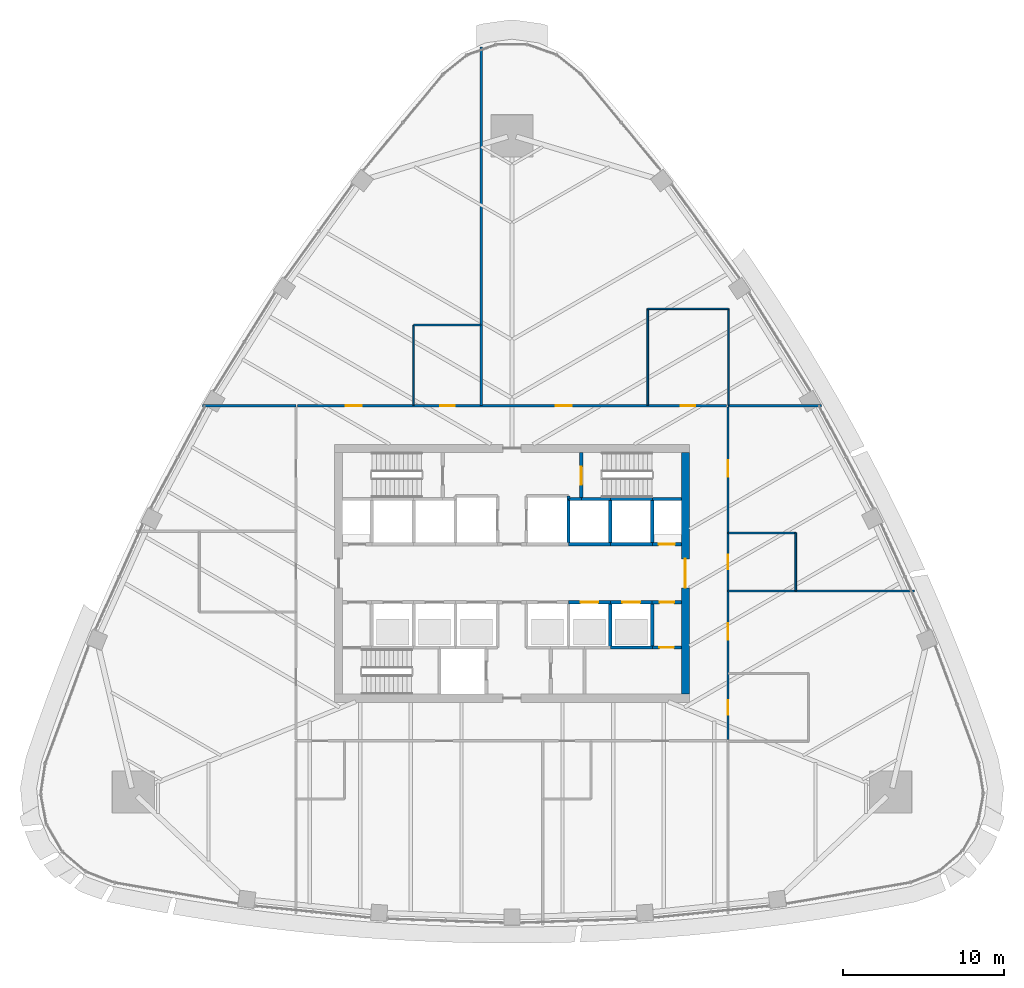
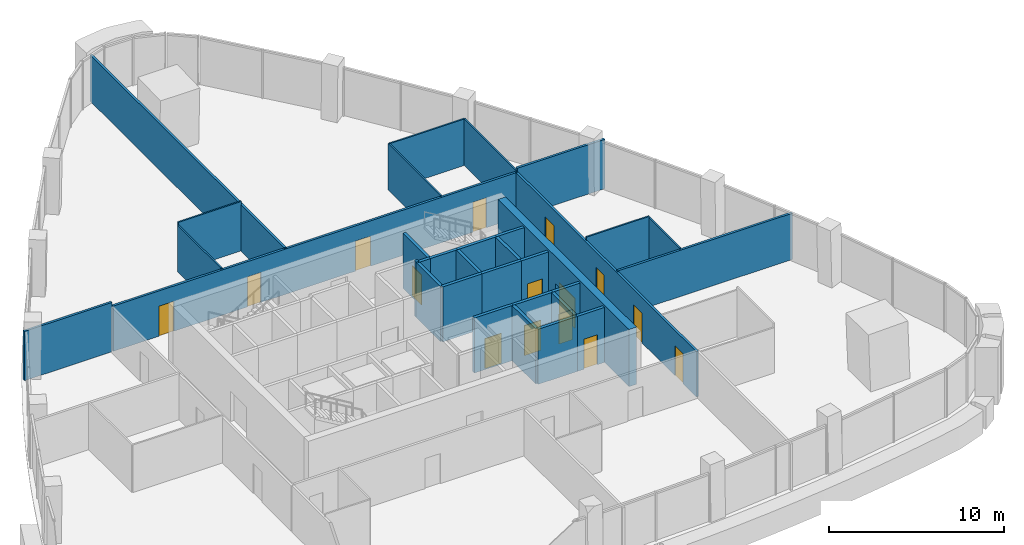
# One storey, part 11 of 16: 33 walls, 15 doors, 15 openings.
"""IFC4 building model written with IfcOpenShell, lengths in metres."""

from ifc_helpers import new_model, si_unit, direction, frame, frame_2d, origin, place, context, subcontext, project, spatial, rectangle, extrude, material, layer, layer_set, type_object, element, fill, save


model = new_model("IFC4")

# Units and contexts
model_context = context("Model", 3, precision=1e-05, world=origin(), true_north=direction((0.0, 1.0)))
body_context = subcontext(model_context, "Body", "Model", "MODEL_VIEW")
ifc_project = project(units=[si_unit("LENGTHUNIT", "METRE"), si_unit("AREAUNIT", "SQUARE_METRE"), si_unit("VOLUMEUNIT", "CUBIC_METRE"), si_unit("PLANEANGLEUNIT", "RADIAN"), si_unit("MASSUNIT", "GRAM", prefix="KILO")], contexts=[model_context])

# Site, building, storey
site_placement = place(None, origin())
site = spatial("IfcSite", under=ifc_project, at=site_placement, CompositionType="ELEMENT")
building_placement = place(site_placement, origin())
building = spatial("IfcBuilding", under=site, at=building_placement, Name="Sierra Prisma Convention Tower", CompositionType="ELEMENT")
storey_placement = place(building_placement, frame((0.0, 0.0, 181.800048828125)))
storey = spatial("IfcBuildingStorey", under=building, at=storey_placement, Name="L40", CompositionType="ELEMENT", Elevation=181.800048828125)

# Walls
ifc_material_1 = material(Name="Gypsum board partition", Category="gypsum")
ifc_layer_1 = layer(ifc_material_1, 0.10009765625)
ifc_layer_set_1 = layer_set([ifc_layer_1], Name="Bathroom partition 100")
wall_type_1 = type_object("IfcWallType", Name="Bathroom partition 100", PredefinedType="PARTITIONING", material=ifc_layer_set_1)
wall_1_placement = place(storey_placement, frame((-6.10009765625, 10.429931640625, 0.0), z_axis=(0.0, 0.0, 1.0), x_axis=(0.0, 1.0, 0.0)))
element("IfcWall", 1, at=wall_1_placement, inside=storey, type_object=wall_type_1, Name="Partition L40 bath 5", PredefinedType="PARTITIONING", context=body_context, shape_type="SweptSolid", body=[
    extrude(rectangle(XDim=4.969970703125, YDim=0.10009765625, at=frame_2d((2.48486328125, 0.0))), origin(), (0.0, 0.0, 1.0), 3.2470703125),
])
wall_2_placement = place(storey_placement, frame((-6.10009765625, 15.39990234375, 0.0), z_axis=(0.0, 0.0, 1.0), x_axis=(1.0, 0.0, 0.0)))
element("IfcWall", 2, at=wall_2_placement, inside=storey, type_object=wall_type_1, Name="Partition L40 bath 6", PredefinedType="PARTITIONING", context=body_context, shape_type="SweptSolid", body=[
    extrude(rectangle(XDim=4.170166015625, YDim=0.10009765625, at=frame_2d((2.0849609375, 0.0))), origin(), (0.0, 0.0, 1.0), 3.449951171875),
])
wall_3_placement = place(storey_placement, frame((8.419921875, 10.429931640625, 0.0), z_axis=(0.0, 0.0, 1.0), x_axis=(0.0, 1.0, 0.0)))
element("IfcWall", 3, at=wall_3_placement, inside=storey, type_object=wall_type_1, Name="Partition L40 bath 9", PredefinedType="PARTITIONING", context=body_context, shape_type="SweptSolid", body=[
    extrude(rectangle(XDim=5.969970703125, YDim=0.10009765625, at=frame_2d((2.98486328125, 0.0))), origin(), (0.0, 0.0, 1.0), 3.2470703125),
])
wall_4_placement = place(storey_placement, frame((8.419921875, 16.39990234375, 0.0), z_axis=(0.0, 0.0, 1.0), x_axis=(1.0, 0.0, 0.0)))
element("IfcWall", 4, at=wall_4_placement, inside=storey, type_object=wall_type_1, Name="Partition L40 bath 10", PredefinedType="PARTITIONING", context=body_context, shape_type="SweptSolid", body=[
    extrude(rectangle(XDim=5.0, YDim=0.10009765625, at=frame_2d((2.5, 0.0))), origin(), (0.0, 0.0, 1.0), 3.2470703125),
])
wall_5_placement = place(storey_placement, frame((13.419921875, 16.39990234375, 0.0), z_axis=(0.0, 0.0, 1.0), x_axis=(0.0, -1.0, 0.0)))
element("IfcWall", 5, at=wall_5_placement, inside=storey, type_object=wall_type_1, Name="Partition L40 bath 11", PredefinedType="PARTITIONING", context=body_context, shape_type="SweptSolid", body=[
    extrude(rectangle(XDim=5.969970703125, YDim=0.10009765625, at=frame_2d((2.98486328125, 0.0))), origin(), (0.0, 0.0, 1.0), 3.2470703125),
])
wall_6_placement = place(storey_placement, frame((13.429931640625, 2.5, 0.0), z_axis=(0.0, 0.0, 1.0), x_axis=(1.0, 0.0, 0.0)))
element("IfcWall", 6, at=wall_6_placement, inside=storey, type_object=wall_type_1, Name="Partition L40 bath 15", PredefinedType="PARTITIONING", context=body_context, shape_type="SweptSolid", body=[
    extrude(rectangle(XDim=4.170166015625, YDim=0.10009765625, at=frame_2d((2.0849609375, 0.0))), origin(), (0.0, 0.0, 1.0), 3.39306640625),
])
wall_7_placement = place(storey_placement, frame((17.60009765625, 2.5, 0.0), z_axis=(0.0, 0.0, 1.0), x_axis=(0.0, -1.0, 0.0)))
element("IfcWall", 7, at=wall_7_placement, inside=storey, type_object=wall_type_1, Name="Partition L40 bath 16", PredefinedType="PARTITIONING", context=body_context, shape_type="SweptSolid", body=[
    extrude(rectangle(XDim=3.570068359375, YDim=0.10009765625, at=frame_2d((1.78515625, 0.0))), origin(), (0.0, 0.0, 1.0), 3.31689453125),
])
ifc_material_2 = material(Name="Concrete C30/37", Category="concrete")
ifc_layer_2 = layer(ifc_material_2, 0.199951171875)
ifc_layer_set_2 = layer_set([ifc_layer_2], Name="Core wall RC 200 C30/37")
wall_type_2 = type_object("IfcWallType", Name="Core wall RC 200 C30/37", PredefinedType="SOLIDWALL", material=ifc_layer_set_2)
wall_8_placement = place(storey_placement, frame((3.5, 4.60009765625, 0.0), z_axis=(0.0, 0.0, 1.0), x_axis=(0.0, 1.0, 0.0)))
element("IfcWall", 8, at=wall_8_placement, inside=storey, type_object=wall_type_2, Name="Core wall L40 38", PredefinedType="SOLIDWALL", context=body_context, shape_type="SweptSolid", body=[
    extrude(rectangle(XDim=0.199951171875, YDim=0.199951171875, at=frame_2d((0.10009765625, 0.0))), origin(), (0.0, 0.0, 1.0), 3.849853515625),
])

# Wall, opening, door
wall_9_placement = place(storey_placement, frame((3.5, -1.800048828125, 0.0), z_axis=(0.0, 0.0, 1.0), x_axis=(1.0, 0.0, 0.0)))
wall_9 = element("IfcWall", 9, at=wall_9_placement, inside=storey, type_object=wall_type_2, Name="Core wall L40 45", PredefinedType="SOLIDWALL", context=body_context, shape_type="SweptSolid", body=[
    extrude(rectangle(XDim=2.60009765625, YDim=0.199951171875, at=frame_2d((1.300048828125, 0.0))), origin(), (0.0, 0.0, 1.0), 3.849853515625),
])
opening_1_placement = place(wall_9_placement, frame((0.75, 0.0, 0.0)))
opening_1 = element("IfcOpeningElement", 10, at=opening_1_placement, cuts=wall_9, Name="Opening L40-D005", PredefinedType="OPENING", context=body_context, shape_type="SweptSolid", body=[
    extrude(rectangle(XDim=1.10009765625, YDim=2.10009765625, at=frame_2d((0.550048828125, 1.050048828125))), frame((0.0, 0.10009765625, 0.0), z_axis=(0.0, -1.0, 0.0), x_axis=(1.0, 0.0, 0.0)), (0.0, 0.0, 1.0), 0.199951171875),
])
ifc_material_3 = material(Name="Steel fire door leaf", Category="steel")
door_type_1 = type_object("IfcDoorType", Name="Door 1100x2100 EI 90 sliding lift landing", OperationType="SLIDING_TO_LEFT", PredefinedType="DOOR", material=ifc_material_3)
door_1_placement = place(opening_1_placement, origin())
door_1 = element("IfcDoor", 11, at=door_1_placement, inside=storey, type_object=door_type_1, Name="Door L40 20", OperationType="SLIDING_TO_LEFT", OverallHeight=2.10009765625, OverallWidth=1.10009765625, PredefinedType="DOOR", context=body_context, shape_type="SweptSolid", body=[
    extrude(rectangle(XDim=1.10009765625, YDim=2.10009765625, at=frame_2d((0.550048828125, 1.050048828125))), frame((0.0, 0.02490234375, 0.0), z_axis=(0.0, -1.0, 0.0), x_axis=(1.0, 0.0, 0.0)), (0.0, 0.0, 1.0), 0.050048828125),
])
fill(opening_1, door_1)

# Walls
wall_10_placement = place(storey_placement, frame((6.10009765625, 1.800048828125, 0.0), z_axis=(0.0, 0.0, 1.0), x_axis=(-1.0, 0.0, 0.0)))
element("IfcWall", 12, at=wall_10_placement, inside=storey, type_object=wall_type_2, Name="Core wall L40 46", PredefinedType="SOLIDWALL", context=body_context, shape_type="SweptSolid", body=[
    extrude(rectangle(XDim=2.60009765625, YDim=0.199951171875, at=frame_2d((1.300048828125, 0.0))), origin(), (0.0, 0.0, 1.0), 3.849853515625),
])
wall_11_placement = place(storey_placement, frame((3.5, 1.800048828125, 0.0), z_axis=(0.0, 0.0, 1.0), x_axis=(0.0, 1.0, 0.0)))
element("IfcWall", 13, at=wall_11_placement, inside=storey, type_object=wall_type_2, Name="Core wall L40 47", PredefinedType="SOLIDWALL", context=body_context, shape_type="SweptSolid", body=[
    extrude(rectangle(XDim=2.800048828125, YDim=0.199951171875, at=frame_2d((1.39990234375, 0.0))), origin(), (0.0, 0.0, 1.0), 3.849853515625),
])
wall_12_placement = place(storey_placement, frame((4.300048828125, 4.60009765625, 0.0), z_axis=(0.0, 0.0, 1.0), x_axis=(-1.0, 0.0, 0.0)))
element("IfcWall", 14, at=wall_12_placement, inside=storey, type_object=wall_type_2, Name="Core wall L40 48", PredefinedType="SOLIDWALL", context=body_context, shape_type="SweptSolid", body=[
    extrude(rectangle(XDim=0.800048828125, YDim=0.199951171875, at=frame_2d((0.39990234375, 0.0))), origin(), (0.0, 0.0, 1.0), 3.849853515625),
])
wall_13_placement = place(storey_placement, frame((6.10009765625, 4.60009765625, 0.0), z_axis=(0.0, 0.0, 1.0), x_axis=(-1.0, 0.0, 0.0)))
element("IfcWall", 15, at=wall_13_placement, inside=storey, type_object=wall_type_2, Name="Core wall L40 49", PredefinedType="SOLIDWALL", context=body_context, shape_type="SweptSolid", body=[
    extrude(rectangle(XDim=1.800048828125, YDim=0.199951171875, at=frame_2d((0.89990234375, 0.0))), origin(), (0.0, 0.0, 1.0), 3.849853515625),
])

# Wall, opening, door
wall_14_placement = place(storey_placement, frame((4.300048828125, 7.5, 0.0), z_axis=(0.0, 0.0, 1.0), x_axis=(0.0, -1.0, 0.0)))
wall_14 = element("IfcWall", 16, at=wall_14_placement, inside=storey, type_object=wall_type_2, Name="Core wall L40 50", PredefinedType="SOLIDWALL", context=body_context, shape_type="SweptSolid", body=[
    extrude(rectangle(XDim=2.89990234375, YDim=0.199951171875, at=frame_2d((1.449951171875, 0.0))), origin(), (0.0, 0.0, 1.0), 3.849853515625),
])
opening_2_placement = place(wall_14_placement, frame((0.89990234375, 0.0, 0.0)))
opening_2 = element("IfcOpeningElement", 17, at=opening_2_placement, cuts=wall_14, Name="Opening L40-D017", PredefinedType="OPENING", context=body_context, shape_type="SweptSolid", body=[
    extrude(rectangle(XDim=1.10009765625, YDim=2.10009765625, at=frame_2d((0.550048828125, 1.050048828125))), frame((0.0, 0.10009765625, 0.0), z_axis=(0.0, -1.0, 0.0), x_axis=(1.0, 0.0, 0.0)), (0.0, 0.0, 1.0), 0.199951171875),
])
ifc_material_4 = material(Name="Steel fire door leaf", Category="steel")
door_type_2 = type_object("IfcDoorType", Name="Door 1100x2100 FD90S", OperationType="SINGLE_SWING_LEFT", PredefinedType="DOOR", material=ifc_material_4)
door_2_placement = place(opening_2_placement, origin())
door_2 = element("IfcDoor", 18, at=door_2_placement, inside=storey, type_object=door_type_2, Name="Door L40 32", OperationType="SINGLE_SWING_LEFT", OverallHeight=2.10009765625, OverallWidth=1.10009765625, PredefinedType="DOOR", context=body_context, shape_type="SweptSolid", body=[
    extrude(rectangle(XDim=1.10009765625, YDim=2.10009765625, at=frame_2d((0.550048828125, 1.050048828125))), frame((0.0, 0.02490234375, 0.0), z_axis=(0.0, -1.0, 0.0), x_axis=(1.0, 0.0, 0.0)), (0.0, 0.0, 1.0), 0.050048828125),
])
fill(opening_2, door_2)

# Walls
wall_15_placement = place(storey_placement, frame((8.699951171875, -4.60009765625, 0.0), z_axis=(0.0, 0.0, 1.0), x_axis=(-1.0, 0.0, 0.0)))
element("IfcWall", 19, at=wall_15_placement, inside=storey, type_object=wall_type_2, Name="Core wall L40 53", PredefinedType="SOLIDWALL", context=body_context, shape_type="SweptSolid", body=[
    extrude(rectangle(XDim=2.599853515625, YDim=0.199951171875, at=frame_2d((1.2998046875, 0.0))), origin(), (0.0, 0.0, 1.0), 3.849853515625),
])
wall_16_placement = place(storey_placement, frame((6.10009765625, -4.60009765625, 0.0), z_axis=(0.0, 0.0, 1.0), x_axis=(0.0, 1.0, 0.0)))
element("IfcWall", 20, at=wall_16_placement, inside=storey, type_object=wall_type_2, Name="Core wall L40 54", PredefinedType="SOLIDWALL", context=body_context, shape_type="SweptSolid", body=[
    extrude(rectangle(XDim=2.800048828125, YDim=0.199951171875, at=frame_2d((1.39990234375, 0.0))), origin(), (0.0, 0.0, 1.0), 3.849853515625),
])

# Wall, opening, door
wall_17_placement = place(storey_placement, frame((6.10009765625, -1.800048828125, 0.0), z_axis=(0.0, 0.0, 1.0), x_axis=(1.0, 0.0, 0.0)))
wall_17 = element("IfcWall", 21, at=wall_17_placement, inside=storey, type_object=wall_type_2, Name="Core wall L40 55", PredefinedType="SOLIDWALL", context=body_context, shape_type="SweptSolid", body=[
    extrude(rectangle(XDim=2.599853515625, YDim=0.199951171875, at=frame_2d((1.2998046875, 0.0))), origin(), (0.0, 0.0, 1.0), 3.849853515625),
])
opening_3_placement = place(wall_17_placement, frame((0.75, 0.0, 0.0)))
opening_3 = element("IfcOpeningElement", 22, at=opening_3_placement, cuts=wall_17, Name="Opening L40-D006", PredefinedType="OPENING", context=body_context, shape_type="SweptSolid", body=[
    extrude(rectangle(XDim=1.10009765625, YDim=2.10009765625, at=frame_2d((0.550048828125, 1.050048828125))), frame((0.0, 0.10009765625, 0.0), z_axis=(0.0, -1.0, 0.0), x_axis=(1.0, 0.0, 0.0)), (0.0, 0.0, 1.0), 0.199951171875),
])
door_3_placement = place(opening_3_placement, origin())
door_3 = element("IfcDoor", 23, at=door_3_placement, inside=storey, type_object=door_type_1, Name="Door L40 21", OperationType="SLIDING_TO_LEFT", OverallHeight=2.10009765625, OverallWidth=1.10009765625, PredefinedType="DOOR", context=body_context, shape_type="SweptSolid", body=[
    extrude(rectangle(XDim=1.10009765625, YDim=2.10009765625, at=frame_2d((0.550048828125, 1.050048828125))), frame((0.0, 0.02490234375, 0.0), z_axis=(0.0, -1.0, 0.0), x_axis=(1.0, 0.0, 0.0)), (0.0, 0.0, 1.0), 0.050048828125),
])
fill(opening_3, door_3)

# Walls
wall_18_placement = place(storey_placement, frame((8.699951171875, 1.800048828125, 0.0), z_axis=(0.0, 0.0, 1.0), x_axis=(-1.0, 0.0, 0.0)))
element("IfcWall", 24, at=wall_18_placement, inside=storey, type_object=wall_type_2, Name="Core wall L40 56", PredefinedType="SOLIDWALL", context=body_context, shape_type="SweptSolid", body=[
    extrude(rectangle(XDim=2.599853515625, YDim=0.199951171875, at=frame_2d((1.2998046875, 0.0))), origin(), (0.0, 0.0, 1.0), 3.849853515625),
])
wall_19_placement = place(storey_placement, frame((6.10009765625, 1.800048828125, 0.0), z_axis=(0.0, 0.0, 1.0), x_axis=(0.0, 1.0, 0.0)))
element("IfcWall", 25, at=wall_19_placement, inside=storey, type_object=wall_type_2, Name="Core wall L40 57", PredefinedType="SOLIDWALL", context=body_context, shape_type="SweptSolid", body=[
    extrude(rectangle(XDim=2.800048828125, YDim=0.199951171875, at=frame_2d((1.39990234375, 0.0))), origin(), (0.0, 0.0, 1.0), 3.849853515625),
])
wall_20_placement = place(storey_placement, frame((8.699951171875, 4.60009765625, 0.0), z_axis=(0.0, 0.0, 1.0), x_axis=(-1.0, 0.0, 0.0)))
element("IfcWall", 26, at=wall_20_placement, inside=storey, type_object=wall_type_2, Name="Core wall L40 58", PredefinedType="SOLIDWALL", context=body_context, shape_type="SweptSolid", body=[
    extrude(rectangle(XDim=2.599853515625, YDim=0.199951171875, at=frame_2d((1.2998046875, 0.0))), origin(), (0.0, 0.0, 1.0), 3.849853515625),
])

# Wall, opening, door
wall_21_placement = place(storey_placement, frame((10.5, -4.60009765625, 0.0), z_axis=(0.0, 0.0, 1.0), x_axis=(-1.0, 0.0, 0.0)))
wall_21 = element("IfcWall", 27, at=wall_21_placement, inside=storey, type_object=wall_type_2, Name="Core wall L40 59", PredefinedType="SOLIDWALL", context=body_context, shape_type="SweptSolid", body=[
    extrude(rectangle(XDim=1.800048828125, YDim=0.199951171875, at=frame_2d((0.89990234375, 0.0))), origin(), (0.0, 0.0, 1.0), 3.849853515625),
])
opening_4_placement = place(wall_21_placement, frame((0.4599609375, 0.0, 0.0)))
opening_4 = element("IfcOpeningElement", 28, at=opening_4_placement, cuts=wall_21, Name="Opening L40-D018", PredefinedType="OPENING", context=body_context, shape_type="SweptSolid", body=[
    extrude(rectangle(XDim=0.89990234375, YDim=2.10009765625, at=frame_2d((0.449951171875, 1.050048828125))), frame((0.0, 0.10009765625, 0.0), z_axis=(0.0, -1.0, 0.0), x_axis=(1.0, 0.0, 0.0)), (0.0, 0.0, 1.0), 0.199951171875),
])
ifc_material_5 = material(Name="Steel fire door leaf", Category="steel")
door_type_3 = type_object("IfcDoorType", Name="Door 900x2100 FD30S", OperationType="SINGLE_SWING_LEFT", PredefinedType="DOOR", material=ifc_material_5)
door_4_placement = place(opening_4_placement, origin())
door_4 = element("IfcDoor", 29, at=door_4_placement, inside=storey, type_object=door_type_3, Name="Door L40 33", OperationType="SINGLE_SWING_LEFT", OverallHeight=2.10009765625, OverallWidth=0.89990234375, PredefinedType="DOOR", context=body_context, shape_type="SweptSolid", body=[
    extrude(rectangle(XDim=0.89990234375, YDim=2.10009765625, at=frame_2d((0.449951171875, 1.050048828125))), frame((0.0, 0.02490234375, 0.0), z_axis=(0.0, -1.0, 0.0), x_axis=(1.0, 0.0, 0.0)), (0.0, 0.0, 1.0), 0.050048828125),
])
fill(opening_4, door_4)

# Wall
wall_22_placement = place(storey_placement, frame((8.699951171875, -1.800048828125, 0.0), z_axis=(0.0, 0.0, 1.0), x_axis=(0.0, -1.0, 0.0)))
element("IfcWall", 30, at=wall_22_placement, inside=storey, type_object=wall_type_2, Name="Core wall L40 60", PredefinedType="SOLIDWALL", context=body_context, shape_type="SweptSolid", body=[
    extrude(rectangle(XDim=2.800048828125, YDim=0.199951171875, at=frame_2d((1.39990234375, 0.0))), origin(), (0.0, 0.0, 1.0), 3.849853515625),
])

# Wall, opening, door
wall_23_placement = place(storey_placement, frame((8.699951171875, -1.800048828125, 0.0), z_axis=(0.0, 0.0, 1.0), x_axis=(1.0, 0.0, 0.0)))
wall_23 = element("IfcWall", 31, at=wall_23_placement, inside=storey, type_object=wall_type_2, Name="Core wall L40 61", PredefinedType="SOLIDWALL", context=body_context, shape_type="SweptSolid", body=[
    extrude(rectangle(XDim=1.800048828125, YDim=0.199951171875, at=frame_2d((0.89990234375, 0.0))), origin(), (0.0, 0.0, 1.0), 3.849853515625),
])
opening_5_placement = place(wall_23_placement, frame((0.449951171875, 0.0, 0.0)))
opening_5 = element("IfcOpeningElement", 32, at=opening_5_placement, cuts=wall_23, Name="Opening L40-D019", PredefinedType="OPENING", context=body_context, shape_type="SweptSolid", body=[
    extrude(rectangle(XDim=0.89990234375, YDim=2.10009765625, at=frame_2d((0.449951171875, 1.050048828125))), frame((0.0, 0.10009765625, 0.0), z_axis=(0.0, -1.0, 0.0), x_axis=(1.0, 0.0, 0.0)), (0.0, 0.0, 1.0), 0.199951171875),
])
door_5_placement = place(opening_5_placement, origin())
door_5 = element("IfcDoor", 33, at=door_5_placement, inside=storey, type_object=door_type_3, Name="Door L40 34", OperationType="SINGLE_SWING_LEFT", OverallHeight=2.10009765625, OverallWidth=0.89990234375, PredefinedType="DOOR", context=body_context, shape_type="SweptSolid", body=[
    extrude(rectangle(XDim=0.89990234375, YDim=2.10009765625, at=frame_2d((0.449951171875, 1.050048828125))), frame((0.0, 0.02490234375, 0.0), z_axis=(0.0, -1.0, 0.0), x_axis=(1.0, 0.0, 0.0)), (0.0, 0.0, 1.0), 0.050048828125),
])
fill(opening_5, door_5)

wall_24_placement = place(storey_placement, frame((10.5, 1.800048828125, 0.0), z_axis=(0.0, 0.0, 1.0), x_axis=(-1.0, 0.0, 0.0)))
wall_24 = element("IfcWall", 34, at=wall_24_placement, inside=storey, type_object=wall_type_2, Name="Core wall L40 62", PredefinedType="SOLIDWALL", context=body_context, shape_type="SweptSolid", body=[
    extrude(rectangle(XDim=1.800048828125, YDim=0.199951171875, at=frame_2d((0.89990234375, 0.0))), origin(), (0.0, 0.0, 1.0), 3.849853515625),
])
opening_6_placement = place(wall_24_placement, frame((0.39990234375, 0.0, 0.0)))
opening_6 = element("IfcOpeningElement", 35, at=opening_6_placement, cuts=wall_24, Name="Opening L40-D014", PredefinedType="OPENING", context=body_context, shape_type="SweptSolid", body=[
    extrude(rectangle(XDim=1.0, YDim=2.10009765625, at=frame_2d((0.5, 1.050048828125))), frame((0.0, 0.10009765625, 0.0), z_axis=(0.0, -1.0, 0.0), x_axis=(1.0, 0.0, 0.0)), (0.0, 0.0, 1.0), 0.199951171875),
])
ifc_material_6 = material(Name="Steel fire door leaf", Category="steel")
door_type_4 = type_object("IfcDoorType", Name="Door 1000x2100 FD60S", OperationType="SINGLE_SWING_LEFT", PredefinedType="DOOR", material=ifc_material_6)
door_6_placement = place(opening_6_placement, origin())
door_6 = element("IfcDoor", 36, at=door_6_placement, inside=storey, type_object=door_type_4, Name="Door L40 29", OperationType="SINGLE_SWING_LEFT", OverallHeight=2.10009765625, OverallWidth=1.0, PredefinedType="DOOR", context=body_context, shape_type="SweptSolid", body=[
    extrude(rectangle(XDim=1.0, YDim=2.10009765625, at=frame_2d((0.5, 1.050048828125))), frame((0.0, 0.02490234375, 0.0), z_axis=(0.0, -1.0, 0.0), x_axis=(1.0, 0.0, 0.0)), (0.0, 0.0, 1.0), 0.050048828125),
])
fill(opening_6, door_6)

# Walls
wall_25_placement = place(storey_placement, frame((8.699951171875, 4.60009765625, 0.0), z_axis=(0.0, 0.0, 1.0), x_axis=(0.0, -1.0, 0.0)))
element("IfcWall", 37, at=wall_25_placement, inside=storey, type_object=wall_type_2, Name="Core wall L40 63", PredefinedType="SOLIDWALL", context=body_context, shape_type="SweptSolid", body=[
    extrude(rectangle(XDim=2.800048828125, YDim=0.199951171875, at=frame_2d((1.39990234375, 0.0))), origin(), (0.0, 0.0, 1.0), 3.849853515625),
])
wall_26_placement = place(storey_placement, frame((10.5, 4.60009765625, 0.0), z_axis=(0.0, 0.0, 1.0), x_axis=(-1.0, 0.0, 0.0)))
element("IfcWall", 38, at=wall_26_placement, inside=storey, type_object=wall_type_2, Name="Core wall L40 64", PredefinedType="SOLIDWALL", context=body_context, shape_type="SweptSolid", body=[
    extrude(rectangle(XDim=1.800048828125, YDim=0.199951171875, at=frame_2d((0.89990234375, 0.0))), origin(), (0.0, 0.0, 1.0), 3.849853515625),
])

# Wall, opening, door
ifc_material_7 = material(Name="Concrete C60/75", Category="concrete")
ifc_layer_3 = layer(ifc_material_7, 0.5)
ifc_layer_set_3 = layer_set([ifc_layer_3], Name="Core wall RC 500 C60/75")
wall_type_3 = type_object("IfcWallType", Name="Core wall RC 500 C60/75", PredefinedType="SHEAR", material=ifc_layer_set_3)
wall_27_placement = place(storey_placement, frame((10.75, -7.5, 0.0), z_axis=(0.0, 0.0, 1.0), x_axis=(0.0, 1.0, 0.0)))
wall_27 = element("IfcWall", 39, at=wall_27_placement, inside=storey, type_object=wall_type_3, Name="Core wall E L40", PredefinedType="SHEAR", context=body_context, shape_type="SweptSolid", body=[
    extrude(rectangle(XDim=15.0, YDim=0.5, at=frame_2d((7.5, 0.0))), origin(), (0.0, 0.0, 1.0), 4.0),
])
opening_7_placement = place(wall_27_placement, frame((6.60009765625, 0.0, 0.0)))
opening_7 = element("IfcOpeningElement", 40, at=opening_7_placement, cuts=wall_27, Name="Opening L40-D036", PredefinedType="OPENING", context=body_context, shape_type="SweptSolid", body=[
    extrude(rectangle(XDim=1.800048828125, YDim=2.10009765625, at=frame_2d((0.89990234375, 1.050048828125))), frame((0.0, 0.25, 0.0), z_axis=(0.0, -1.0, 0.0), x_axis=(1.0, 0.0, 0.0)), (0.0, 0.0, 1.0), 0.5),
])
ifc_material_8 = material(Name="Steel fire door leaf", Category="steel")
door_type_5 = type_object("IfcDoorType", Name="Door 1800x2100 FD60S", OperationType="DOUBLE_DOOR_SINGLE_SWING", PredefinedType="DOOR", material=ifc_material_8)
door_7_placement = place(opening_7_placement, origin())
door_7 = element("IfcDoor", 41, at=door_7_placement, inside=storey, type_object=door_type_5, Name="Door L40 37", OperationType="DOUBLE_DOOR_SINGLE_SWING", OverallHeight=2.10009765625, OverallWidth=1.800048828125, PredefinedType="DOOR", context=body_context, shape_type="SweptSolid", body=[
    extrude(rectangle(XDim=1.800048828125, YDim=2.10009765625, at=frame_2d((0.89990234375, 1.050048828125))), frame((0.0, 0.02490234375, 0.0), z_axis=(0.0, -1.0, 0.0), x_axis=(1.0, 0.0, 0.0)), (0.0, 0.0, 1.0), 0.050048828125),
])
fill(opening_7, door_7)

# Wall, openings, doors
ifc_material_9 = material(Name="Gypsum board partition", Category="gypsum")
ifc_layer_4 = layer(ifc_material_9, 0.14990234375)
ifc_layer_set_4 = layer_set([ifc_layer_4], Name="Corridor wall 150 gypsum EI 60")
wall_type_4 = type_object("IfcWallType", Name="Corridor wall 150 gypsum EI 60", PredefinedType="PARTITIONING", material=ifc_layer_set_4)
wall_28_placement = place(storey_placement, frame((13.320068359375, 10.39990234375, 0.0), z_axis=(0.0, 0.0, 1.0), x_axis=(-1.0, 0.0, 0.0)))
wall_28 = element("IfcWall", 42, at=wall_28_placement, inside=storey, type_object=wall_type_4, Name="Partition L40 corr 3", PredefinedType="PARTITIONING", context=body_context, shape_type="SweptSolid", body=[
    extrude(rectangle(XDim=26.64013671875, YDim=0.14990234375, at=frame_2d((13.320068359375, 0.0))), origin(), (0.0, 0.0, 1.0), 3.166015625),
])
opening_8_placement = place(wall_28_placement, frame((1.949951171875, 0.0, 0.0)))
opening_8 = element("IfcOpeningElement", 43, at=opening_8_placement, cuts=wall_28, Name="Opening L40-D023", PredefinedType="OPENING", context=body_context, shape_type="SweptSolid", body=[
    extrude(rectangle(XDim=0.89990234375, YDim=2.10009765625, at=frame_2d((0.449951171875, 1.050048828125))), frame((0.0, 0.074951171875, 0.0), z_axis=(0.0, -1.0, 0.0), x_axis=(1.0, 0.0, 0.0)), (0.0, 0.0, 1.0), 0.14990234375),
])
opening_9_placement = place(wall_28_placement, frame((9.610107421875, 0.0, 0.0)))
opening_9 = element("IfcOpeningElement", 44, at=opening_9_placement, cuts=wall_28, Name="Opening L40-D024", PredefinedType="OPENING", context=body_context, shape_type="SweptSolid", body=[
    extrude(rectangle(XDim=1.0, YDim=2.10009765625, at=frame_2d((0.5, 1.050048828125))), frame((0.0, 0.074951171875, 0.0), z_axis=(0.0, -1.0, 0.0), x_axis=(1.0, 0.0, 0.0)), (0.0, 0.0, 1.0), 0.14990234375),
])
opening_10_placement = place(wall_28_placement, frame((16.8701171875, 0.0, 0.0)))
opening_10 = element("IfcOpeningElement", 45, at=opening_10_placement, cuts=wall_28, Name="Opening L40-D025", PredefinedType="OPENING", context=body_context, shape_type="SweptSolid", body=[
    extrude(rectangle(XDim=0.89990234375, YDim=2.10009765625, at=frame_2d((0.449951171875, 1.050048828125))), frame((0.0, 0.074951171875, 0.0), z_axis=(0.0, -1.0, 0.0), x_axis=(1.0, 0.0, 0.0)), (0.0, 0.0, 1.0), 0.14990234375),
])
opening_11_placement = place(wall_28_placement, frame((22.6298828125, 0.0, 0.0)))
opening_11 = element("IfcOpeningElement", 46, at=opening_11_placement, cuts=wall_28, Name="Opening L40-D026", PredefinedType="OPENING", context=body_context, shape_type="SweptSolid", body=[
    extrude(rectangle(XDim=1.0, YDim=2.10009765625, at=frame_2d((0.5, 1.050048828125))), frame((0.0, 0.074951171875, 0.0), z_axis=(0.0, -1.0, 0.0), x_axis=(1.0, 0.0, 0.0)), (0.0, 0.0, 1.0), 0.14990234375),
])
ifc_material_10 = material(Name="Steel fire door leaf", Category="steel")
door_type_6 = type_object("IfcDoorType", Name="Door 1000x2100 FD30S", OperationType="SINGLE_SWING_LEFT", PredefinedType="DOOR", material=ifc_material_10)
door_8_placement = place(opening_9_placement, origin())
door_8 = element("IfcDoor", 47, at=door_8_placement, inside=storey, type_object=door_type_6, Name="Door L40 4", OperationType="SINGLE_SWING_RIGHT", OverallHeight=2.10009765625, OverallWidth=1.0, PredefinedType="DOOR", context=body_context, shape_type="SweptSolid", body=[
    extrude(rectangle(XDim=1.0, YDim=2.10009765625, at=frame_2d((0.5, 1.050048828125))), frame((0.0, 0.02490234375, 0.0), z_axis=(0.0, -1.0, 0.0), x_axis=(1.0, 0.0, 0.0)), (0.0, 0.0, 1.0), 0.050048828125),
])
fill(opening_9, door_8)
door_9_placement = place(opening_11_placement, origin())
door_9 = element("IfcDoor", 48, at=door_9_placement, inside=storey, type_object=door_type_6, Name="Door L40 6", OperationType="SINGLE_SWING_RIGHT", OverallHeight=2.10009765625, OverallWidth=1.0, PredefinedType="DOOR", context=body_context, shape_type="SweptSolid", body=[
    extrude(rectangle(XDim=1.0, YDim=2.10009765625, at=frame_2d((0.5, 1.050048828125))), frame((0.0, 0.02490234375, 0.0), z_axis=(0.0, -1.0, 0.0), x_axis=(1.0, 0.0, 0.0)), (0.0, 0.0, 1.0), 0.050048828125),
])
fill(opening_11, door_9)
door_10_placement = place(opening_8_placement, origin())
door_10 = element("IfcDoor", 49, at=door_10_placement, inside=storey, type_object=door_type_3, Name="Door L40 3", OperationType="SINGLE_SWING_RIGHT", OverallHeight=2.10009765625, OverallWidth=0.89990234375, PredefinedType="DOOR", context=body_context, shape_type="SweptSolid", body=[
    extrude(rectangle(XDim=0.89990234375, YDim=2.10009765625, at=frame_2d((0.449951171875, 1.050048828125))), frame((0.0, 0.02490234375, 0.0), z_axis=(0.0, -1.0, 0.0), x_axis=(1.0, 0.0, 0.0)), (0.0, 0.0, 1.0), 0.050048828125),
])
fill(opening_8, door_10)
door_11_placement = place(opening_10_placement, origin())
door_11 = element("IfcDoor", 50, at=door_11_placement, inside=storey, type_object=door_type_3, Name="Door L40 5", OperationType="SINGLE_SWING_RIGHT", OverallHeight=2.10009765625, OverallWidth=0.89990234375, PredefinedType="DOOR", context=body_context, shape_type="SweptSolid", body=[
    extrude(rectangle(XDim=0.89990234375, YDim=2.10009765625, at=frame_2d((0.449951171875, 1.050048828125))), frame((0.0, 0.02490234375, 0.0), z_axis=(0.0, -1.0, 0.0), x_axis=(1.0, 0.0, 0.0)), (0.0, 0.0, 1.0), 0.050048828125),
])
fill(opening_10, door_11)

wall_29_placement = place(storey_placement, frame((13.39990234375, -10.320068359375, 0.0), z_axis=(0.0, 0.0, 1.0), x_axis=(0.0, 1.0, 0.0)))
wall_29 = element("IfcWall", 51, at=wall_29_placement, inside=storey, type_object=wall_type_4, Name="Partition L40 corr 4", PredefinedType="PARTITIONING", context=body_context, shape_type="SweptSolid", body=[
    extrude(rectangle(XDim=20.64013671875, YDim=0.14990234375, at=frame_2d((10.320068359375, 0.0))), origin(), (0.0, 0.0, 1.0), 3.166015625),
])
opening_12_placement = place(wall_29_placement, frame((10.570068359375, 0.0, 0.0)))
opening_12 = element("IfcOpeningElement", 52, at=opening_12_placement, cuts=wall_29, Name="Opening L40-D021", PredefinedType="OPENING", context=body_context, shape_type="SweptSolid", body=[
    extrude(rectangle(XDim=0.89990234375, YDim=2.10009765625, at=frame_2d((0.449951171875, 1.050048828125))), frame((0.0, 0.074951171875, 0.0), z_axis=(0.0, -1.0, 0.0), x_axis=(1.0, 0.0, 0.0)), (0.0, 0.0, 1.0), 0.14990234375),
])
opening_13_placement = place(wall_29_placement, frame((16.320068359375, 0.0, 0.0)))
opening_13 = element("IfcOpeningElement", 53, at=opening_13_placement, cuts=wall_29, Name="Opening L40-D022", PredefinedType="OPENING", context=body_context, shape_type="SweptSolid", body=[
    extrude(rectangle(XDim=1.0, YDim=2.10009765625, at=frame_2d((0.5, 1.050048828125))), frame((0.0, 0.074951171875, 0.0), z_axis=(0.0, -1.0, 0.0), x_axis=(1.0, 0.0, 0.0)), (0.0, 0.0, 1.0), 0.14990234375),
])
opening_14_placement = place(wall_29_placement, frame((1.550048828125, 0.0, 0.0)))
opening_14 = element("IfcOpeningElement", 54, at=opening_14_placement, cuts=wall_29, Name="Opening L40-D034", PredefinedType="OPENING", context=body_context, shape_type="SweptSolid", body=[
    extrude(rectangle(XDim=0.89990234375, YDim=2.10009765625, at=frame_2d((0.449951171875, 1.050048828125))), frame((0.0, 0.074951171875, 0.0), z_axis=(0.0, -1.0, 0.0), x_axis=(1.0, 0.0, 0.0)), (0.0, 0.0, 1.0), 0.14990234375),
])
opening_15_placement = place(wall_29_placement, frame((6.2099609375, 0.0, 0.0)))
opening_15 = element("IfcOpeningElement", 55, at=opening_15_placement, cuts=wall_29, Name="Opening L40-D035", PredefinedType="OPENING", context=body_context, shape_type="SweptSolid", body=[
    extrude(rectangle(XDim=1.0, YDim=2.10009765625, at=frame_2d((0.5, 1.050048828125))), frame((0.0, 0.074951171875, 0.0), z_axis=(0.0, -1.0, 0.0), x_axis=(1.0, 0.0, 0.0)), (0.0, 0.0, 1.0), 0.14990234375),
])
door_12_placement = place(opening_13_placement, origin())
door_12 = element("IfcDoor", 56, at=door_12_placement, inside=storey, type_object=door_type_6, Name="Door L40 2", OperationType="SINGLE_SWING_LEFT", OverallHeight=2.10009765625, OverallWidth=1.0, PredefinedType="DOOR", context=body_context, shape_type="SweptSolid", body=[
    extrude(rectangle(XDim=1.0, YDim=2.10009765625, at=frame_2d((0.5, 1.050048828125))), frame((0.0, 0.02490234375, 0.0), z_axis=(0.0, -1.0, 0.0), x_axis=(1.0, 0.0, 0.0)), (0.0, 0.0, 1.0), 0.050048828125),
])
fill(opening_13, door_12)
door_13_placement = place(opening_15_placement, origin())
door_13 = element("IfcDoor", 57, at=door_13_placement, inside=storey, type_object=door_type_6, Name="Door L40 15", OperationType="SINGLE_SWING_RIGHT", OverallHeight=2.10009765625, OverallWidth=1.0, PredefinedType="DOOR", context=body_context, shape_type="SweptSolid", body=[
    extrude(rectangle(XDim=1.0, YDim=2.10009765625, at=frame_2d((0.5, 1.050048828125))), frame((0.0, 0.02490234375, 0.0), z_axis=(0.0, -1.0, 0.0), x_axis=(1.0, 0.0, 0.0)), (0.0, 0.0, 1.0), 0.050048828125),
])
fill(opening_15, door_13)
door_14_placement = place(opening_12_placement, origin())
door_14 = element("IfcDoor", 58, at=door_14_placement, inside=storey, type_object=door_type_3, Name="Door L40 1", OperationType="SINGLE_SWING_RIGHT", OverallHeight=2.10009765625, OverallWidth=0.89990234375, PredefinedType="DOOR", context=body_context, shape_type="SweptSolid", body=[
    extrude(rectangle(XDim=0.89990234375, YDim=2.10009765625, at=frame_2d((0.449951171875, 1.050048828125))), frame((0.0, 0.02490234375, 0.0), z_axis=(0.0, -1.0, 0.0), x_axis=(1.0, 0.0, 0.0)), (0.0, 0.0, 1.0), 0.050048828125),
])
fill(opening_12, door_14)
door_15_placement = place(opening_14_placement, origin())
door_15 = element("IfcDoor", 59, at=door_15_placement, inside=storey, type_object=door_type_3, Name="Door L40 14", OperationType="SINGLE_SWING_LEFT", OverallHeight=2.10009765625, OverallWidth=0.89990234375, PredefinedType="DOOR", context=body_context, shape_type="SweptSolid", body=[
    extrude(rectangle(XDim=0.89990234375, YDim=2.10009765625, at=frame_2d((0.449951171875, 1.050048828125))), frame((0.0, 0.02490234375, 0.0), z_axis=(0.0, -1.0, 0.0), x_axis=(1.0, 0.0, 0.0)), (0.0, 0.0, 1.0), 0.050048828125),
])
fill(opening_14, door_15)

# Walls
ifc_material_11 = material(Name="Gypsum board partition", Category="gypsum")
ifc_layer_5 = layer(ifc_material_11, 0.14990234375)
ifc_layer_set_5 = layer_set([ifc_layer_5], Name="Party wall 150 gypsum")
wall_type_5 = type_object("IfcWallType", Name="Party wall 150 gypsum", PredefinedType="PARTITIONING", material=ifc_layer_set_5)
wall_30_placement = place(storey_placement, frame((-13.39990234375, 10.39990234375, 0.0), z_axis=(0.0, 0.0, 1.0), x_axis=(-1.0, 0.0, 0.0)))
element("IfcWall", 60, at=wall_30_placement, inside=storey, type_object=wall_type_5, Name="Partition L40 party 2", PredefinedType="PARTITIONING", context=body_context, shape_type="SweptSolid", body=[
    extrude(rectangle(XDim=5.793212890625, YDim=0.14990234375, at=frame_2d((2.896484375, 0.0))), origin(), (0.0, 0.0, 1.0), 3.449951171875),
])
wall_31_placement = place(storey_placement, frame((-1.89990234375, 10.39990234375, 0.0), z_axis=(0.0, 0.0, 1.0), x_axis=(0.0, 1.0, 0.0)))
element("IfcWall", 61, at=wall_31_placement, inside=storey, type_object=wall_type_5, Name="Partition L40 party 4", PredefinedType="PARTITIONING", context=body_context, shape_type="SweptSolid", body=[
    extrude(rectangle(XDim=22.258544921875, YDim=0.14990234375, at=frame_2d((11.12939453125, 0.0))), origin(), (0.0, 0.0, 1.0), 3.23388671875),
])
wall_32_placement = place(storey_placement, frame((24.980224609375, -1.10009765625, 0.0), z_axis=(0.0, 0.0, 1.0), x_axis=(-1.0, 0.0, 0.0)))
element("IfcWall", 62, at=wall_32_placement, inside=storey, type_object=wall_type_5, Name="Partition L40 party 7", PredefinedType="PARTITIONING", context=body_context, shape_type="SweptSolid", body=[
    extrude(rectangle(XDim=11.580322265625, YDim=0.14990234375, at=frame_2d((5.7900390625, 0.0))), origin(), (0.0, 0.0, 1.0), 3.23388671875),
])
wall_33_placement = place(storey_placement, frame((13.39990234375, 10.39990234375, 0.0), z_axis=(0.0, 0.0, 1.0), x_axis=(1.0, 0.0, 0.0)))
element("IfcWall", 63, at=wall_33_placement, inside=storey, type_object=wall_type_5, Name="Partition L40 party 8", PredefinedType="PARTITIONING", context=body_context, shape_type="SweptSolid", body=[
    extrude(rectangle(XDim=5.793212890625, YDim=0.14990234375, at=frame_2d((2.896484375, 0.0))), origin(), (0.0, 0.0, 1.0), 3.449951171875),
])

save(model, "model.ifc")
